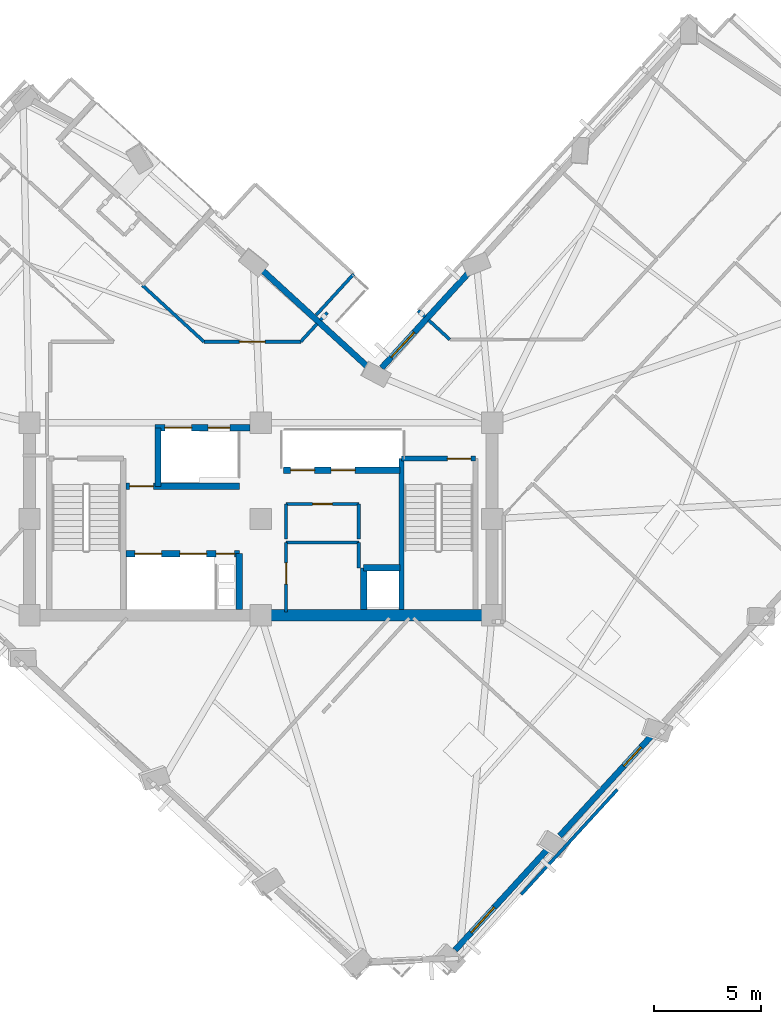
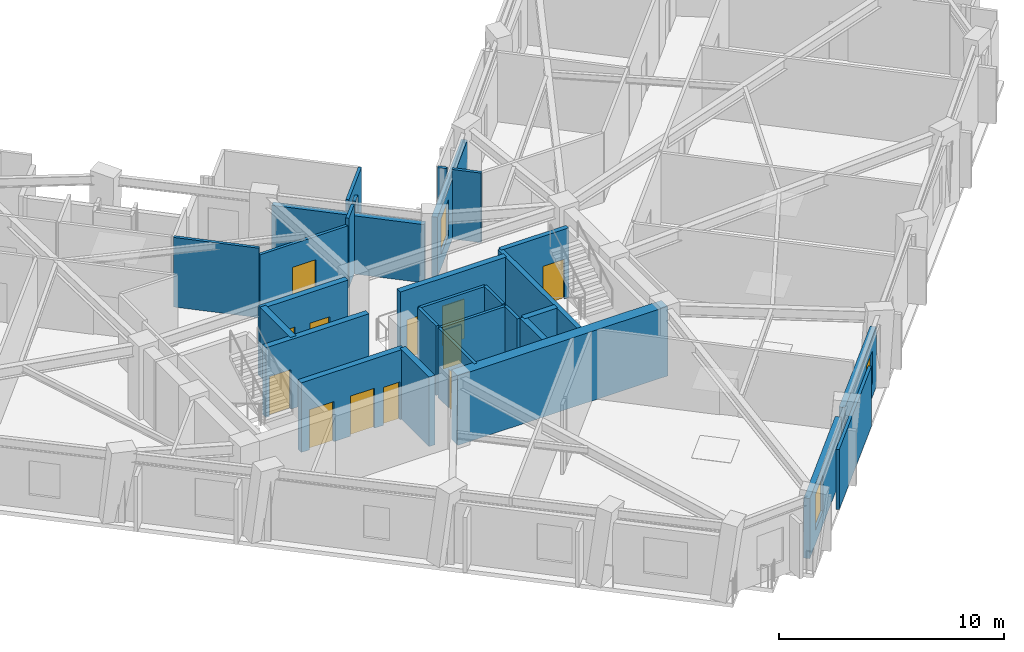
# One storey, part 5 of 12: 29 walls, 12 doors, 3 windows, 15 openings.
"""IFC4 building model written with IfcOpenShell, lengths in metres."""

from ifc_helpers import new_model, si_unit, direction, frame, frame_2d, origin, place, context, subcontext, project, spatial, rectangle, extrude, material, layer, layer_set, type_object, element, fill, save


model = new_model("IFC4")

# Units and contexts
model_context = context("Model", 3, precision=1e-05, world=origin(), true_north=direction((0.0, 1.0)))
body_context = subcontext(model_context, "Body", "Model", "MODEL_VIEW")
ifc_project = project(units=[si_unit("LENGTHUNIT", "METRE"), si_unit("AREAUNIT", "SQUARE_METRE"), si_unit("VOLUMEUNIT", "CUBIC_METRE"), si_unit("PLANEANGLEUNIT", "RADIAN"), si_unit("MASSUNIT", "GRAM", prefix="KILO")], contexts=[model_context])

# Site, building, storey
site_placement = place(None, origin())
site = spatial("IfcSite", under=ifc_project, at=site_placement, CompositionType="ELEMENT")
building_placement = place(site_placement, origin())
building = spatial("IfcBuilding", under=site, at=building_placement, Name="Gaonmaruhae Medical Tower", CompositionType="ELEMENT")
storey_placement = place(building_placement, frame((0.0, 0.0, 227.199951171875)))
storey = spatial("IfcBuildingStorey", under=building, at=storey_placement, Name="L54", CompositionType="ELEMENT", Elevation=227.199951171875)

# Wall
ifc_material_1 = material(Name="Concrete C50/60", Category="concrete")
ifc_layer_1 = layer(ifc_material_1, 0.550048828125)
ifc_layer_set_1 = layer_set([ifc_layer_1], Name="Concrete C50/60")
wall_type_1 = type_object("IfcWallType", Name="CW-550 Mid-High Core Shear Wall", PredefinedType="SHEAR", material=ifc_layer_set_1)
wall_1_placement = place(storey_placement, frame((24.800048828125, 7.800048828125, 0.0), z_axis=(0.0, 0.0, 1.0), x_axis=(1.0, 0.0, 0.0)))
element("IfcWall", 1, at=wall_1_placement, inside=storey, type_object=wall_type_1, Name="L54 Core Shear Wall CSW-S2", PredefinedType="SHEAR", context=body_context, shape_type="SweptSolid", body=[
    extrude(rectangle(XDim=10.800048828125, YDim=0.550048828125, at=frame_2d((5.39990234375, 0.0))), origin(), (0.0, 0.0, 1.0), 3.780029296875),
])

# Wall, opening, window
ifc_material_2 = material(Name="Precast concrete C45/55", Category="concrete")
ifc_layer_2 = layer(ifc_material_2, 0.280029296875)
ifc_layer_set_2 = layer_set([ifc_layer_2], Name="Precast concrete C45/55")
wall_type_2 = type_object("IfcWallType", Name="EW-280 Upper Precast Masonry-Frame Facade Wall", PredefinedType="SOLIDWALL", material=ifc_layer_set_2)
wall_2_placement = place(storey_placement, frame((38.258544921875, -3.05029296875, 0.0), z_axis=(0.0, 0.0, 1.0), x_axis=(-0.675579701031, -0.737286964183, 0.0)))
wall_2 = element("IfcWall", 2, at=wall_2_placement, inside=storey, type_object=wall_type_2, Name="L54 Precast Masonry-Frame Wall S01-S02", PredefinedType="SOLIDWALL", context=body_context, shape_type="SweptSolid", body=[
    extrude(rectangle(XDim=6.484619140625, YDim=0.280029296875, at=frame_2d((3.2421875, 0.0))), origin(), (0.0, 0.0, 1.0), 3.26513671875),
])
opening_1_placement = place(wall_2_placement, frame((3.77392578125, 0.0, 0.75)))
opening_1 = element("IfcOpeningElement", 3, at=opening_1_placement, cuts=wall_2, Name="Opening WN-01", PredefinedType="OPENING", context=body_context, shape_type="SweptSolid", body=[
    extrude(rectangle(XDim=1.60009765625, YDim=1.949951171875, at=frame_2d((0.800048828125, 0.97509765625))), frame((0.0, 0.14990234375, 0.0), z_axis=(0.0, -1.0, 0.0), x_axis=(1.0, 0.0, 0.0)), (0.0, 0.0, 1.0), 0.300048828125),
])
ifc_material_3 = material(Name="Anodised aluminium and Low-E double glazing", Category="aluminium")
window_type_1 = type_object("IfcWindowType", Name="WN-01 Ward Punched Acoustic Window 1600x1950", PartitioningType="SINGLE_PANEL", PredefinedType="WINDOW", material=ifc_material_3)
window_1_placement = place(opening_1_placement, origin())
window_1 = element("IfcWindow", 4, at=window_1_placement, inside=storey, type_object=window_type_1, Name="L54 Modular Facade Window S01", OverallHeight=1.949951171875, OverallWidth=1.60009765625, PartitioningType="SINGLE_PANEL", PredefinedType="WINDOW", context=body_context, shape_type="SweptSolid", body=[
    extrude(rectangle(XDim=1.60009765625, YDim=1.949951171875, at=frame_2d((0.800048828125, 0.97509765625))), frame((0.0, 0.030029296875, 0.0), z_axis=(0.0, -1.0, 0.0), x_axis=(1.0, 0.0, 0.0)), (0.0, 0.0, 1.0), 0.06005859375),
])
fill(opening_1, window_1)

wall_3_placement = place(storey_placement, frame((43.110595703125, 2.244873046875, 0.0), z_axis=(0.0, 0.0, 1.0), x_axis=(-0.675587253008, -0.737280044198, 0.0)))
wall_3 = element("IfcWall", 5, at=wall_3_placement, inside=storey, type_object=wall_type_2, Name="L54 Precast Masonry-Frame Wall S02-S03", PredefinedType="SOLIDWALL", context=body_context, shape_type="SweptSolid", body=[
    extrude(rectangle(XDim=6.438720703125, YDim=0.280029296875, at=frame_2d((3.21923828125, 0.0))), origin(), (0.0, 0.0, 1.0), 3.26513671875),
])
opening_2_placement = place(wall_3_placement, frame((0.810302734375, 0.0, 0.75)))
opening_2 = element("IfcOpeningElement", 6, at=opening_2_placement, cuts=wall_3, Name="Opening WN-05", PredefinedType="OPENING", context=body_context, shape_type="SweptSolid", body=[
    extrude(rectangle(XDim=1.199951171875, YDim=1.75, at=frame_2d((0.60009765625, 0.875))), frame((0.0, 0.14990234375, 0.0), z_axis=(0.0, -1.0, 0.0), x_axis=(1.0, 0.0, 0.0)), (0.0, 0.0, 1.0), 0.300048828125),
])
window_type_2 = type_object("IfcWindowType", Name="WN-05 Support & Staff Punched Window 1200x1750", PartitioningType="SINGLE_PANEL", PredefinedType="WINDOW", material=ifc_material_3)
window_2_placement = place(opening_2_placement, origin())
window_2 = element("IfcWindow", 7, at=window_2_placement, inside=storey, type_object=window_type_2, Name="L54 Modular Facade Window S02", OverallHeight=1.75, OverallWidth=1.199951171875, PartitioningType="SINGLE_PANEL", PredefinedType="WINDOW", context=body_context, shape_type="SweptSolid", body=[
    extrude(rectangle(XDim=1.199951171875, YDim=1.75, at=frame_2d((0.60009765625, 0.875))), frame((0.0, 0.030029296875, 0.0), z_axis=(0.0, -1.0, 0.0), x_axis=(1.0, 0.0, 0.0)), (0.0, 0.0, 1.0), 0.06005859375),
])
fill(opening_2, window_2)

wall_4_placement = place(storey_placement, frame((30.444091796875, 19.357666015625, 0.0), z_axis=(0.0, 0.0, 1.0), x_axis=(0.675589973943, 0.737277550931, 0.0)))
wall_4 = element("IfcWall", 8, at=wall_4_placement, inside=storey, type_object=wall_type_2, Name="L54 Precast Masonry-Frame Wall EN02-KN01", PredefinedType="SOLIDWALL", context=body_context, shape_type="SweptSolid", body=[
    extrude(rectangle(XDim=6.158203125, YDim=0.280029296875, at=frame_2d((3.0791015625, 0.0))), origin(), (0.0, 0.0, 1.0), 3.26513671875),
])
opening_3_placement = place(wall_4_placement, frame((0.658203125, 0.0, 0.75)))
opening_3 = element("IfcOpeningElement", 9, at=opening_3_placement, cuts=wall_4, Name="Opening WN-01", PredefinedType="OPENING", context=body_context, shape_type="SweptSolid", body=[
    extrude(rectangle(XDim=1.60009765625, YDim=1.949951171875, at=frame_2d((0.800048828125, 0.97509765625))), frame((0.0, 0.14990234375, 0.0), z_axis=(0.0, -1.0, 0.0), x_axis=(1.0, 0.0, 0.0)), (0.0, 0.0, 1.0), 0.300048828125),
])
window_3_placement = place(opening_3_placement, origin())
window_3 = element("IfcWindow", 10, at=window_3_placement, inside=storey, type_object=window_type_1, Name="L54 Modular Facade Window EN02", OverallHeight=1.949951171875, OverallWidth=1.60009765625, PartitioningType="SINGLE_PANEL", PredefinedType="WINDOW", context=body_context, shape_type="SweptSolid", body=[
    extrude(rectangle(XDim=1.60009765625, YDim=1.949951171875, at=frame_2d((0.800048828125, 0.97509765625))), frame((0.0, 0.030029296875, 0.0), z_axis=(0.0, -1.0, 0.0), x_axis=(1.0, 0.0, 0.0)), (0.0, 0.0, 1.0), 0.06005859375),
])
fill(opening_3, window_3)

# Wall
wall_5_placement = place(storey_placement, frame((24.787109375, 23.991455078125, 0.0), z_axis=(0.0, 0.0, 1.0), x_axis=(0.737275011719, -0.675592744998, 0.0)))
element("IfcWall", 11, at=wall_5_placement, inside=storey, type_object=wall_type_2, Name="L54 Precast Masonry-Frame Wall KN01-NE01", PredefinedType="SOLIDWALL", context=body_context, shape_type="SweptSolid", body=[
    extrude(rectangle(XDim=6.958251953125, YDim=0.280029296875, at=frame_2d((3.47900390625, 0.0))), origin(), (0.0, 0.0, 1.0), 3.1650390625),
])

# Wall, opening, door
ifc_material_4 = material(Name="Gypsum board partition", Category="gypsum")
ifc_layer_3 = layer(ifc_material_4, 0.14990234375)
ifc_layer_set_3 = layer_set([ifc_layer_3], Name="Gypsum board partition")
wall_type_3 = type_object("IfcWallType", Name="PW-150 Rated Clinical Corridor Partition", PredefinedType="PARTITIONING", material=ifc_layer_set_3)
wall_6_placement = place(storey_placement, frame((25.97998046875, 7.9599609375, 0.0), z_axis=(0.0, 0.0, 1.0), x_axis=(0.0, 1.0, 0.0)))
wall_6 = element("IfcWall", 12, at=wall_6_placement, inside=storey, type_object=wall_type_3, Name="L54 Interior Partition L54-RCL1-1", PredefinedType="PARTITIONING", context=body_context, shape_type="SweptSolid", body=[
    extrude(rectangle(XDim=3.239990234375, YDim=0.14990234375, at=frame_2d((1.6201171875, 0.0))), origin(), (0.0, 0.0, 1.0), 3.780029296875),
])
opening_4_placement = place(wall_6_placement, frame((1.294921875, 0.0, 0.0)))
opening_4 = element("IfcOpeningElement", 13, at=opening_4_placement, cuts=wall_6, Name="Opening CD-01", PredefinedType="OPENING", context=body_context, shape_type="SweptSolid", body=[
    extrude(rectangle(XDim=1.0, YDim=2.1201171875, at=frame_2d((0.5, 1.06005859375))), frame((0.0, 0.0849609375, 0.0), z_axis=(0.0, -1.0, 0.0), x_axis=(1.0, 0.0, 0.0)), (0.0, 0.0, 1.0), 0.169921875),
])
ifc_material_5 = material(Name="Antimicrobial laminate timber fire door", Category="wood")
door_type_1 = type_object("IfcDoorType", Name="CD-01 Consultation & Physician Office Door 1000x2120", OperationType="NOTDEFINED", PredefinedType="DOOR", material=ifc_material_5)
door_1_placement = place(opening_4_placement, origin())
door_1 = element("IfcDoor", 14, at=door_1_placement, inside=storey, type_object=door_type_1, Name="L54 Clinical Telemetry and Medication Room Door", OperationType="SINGLE_SWING_RIGHT", OverallHeight=2.1201171875, OverallWidth=1.0, PredefinedType="DOOR", context=body_context, shape_type="SweptSolid", body=[
    extrude(rectangle(XDim=1.0, YDim=2.1201171875, at=frame_2d((0.5, 1.06005859375))), frame((0.0, 0.02490234375, 0.0), z_axis=(0.0, -1.0, 0.0), x_axis=(1.0, 0.0, 0.0)), (0.0, 0.0, 1.0), 0.050048828125),
])
fill(opening_4, door_1)

# Walls
wall_7_placement = place(storey_placement, frame((25.97998046875, 11.199951171875, 0.0), z_axis=(0.0, 0.0, 1.0), x_axis=(1.0, 0.0, 0.0)))
element("IfcWall", 15, at=wall_7_placement, inside=storey, type_object=wall_type_3, Name="L54 Interior Partition L54-RCL1-2", PredefinedType="PARTITIONING", context=body_context, shape_type="SweptSolid", body=[
    extrude(rectangle(XDim=3.39990234375, YDim=0.14990234375, at=frame_2d((1.699951171875, 0.0))), origin(), (0.0, 0.0, 1.0), 3.780029296875),
])
wall_8_placement = place(storey_placement, frame((29.3798828125, 11.199951171875, 0.0), z_axis=(0.0, 0.0, 1.0), x_axis=(0.0, -1.0, 0.0)))
element("IfcWall", 16, at=wall_8_placement, inside=storey, type_object=wall_type_3, Name="L54 Interior Partition L54-RCL1-3", PredefinedType="PARTITIONING", context=body_context, shape_type="SweptSolid", body=[
    extrude(rectangle(XDim=1.179931640625, YDim=0.14990234375, at=frame_2d((0.58984375, 0.0))), origin(), (0.0, 0.0, 1.0), 3.780029296875),
])
wall_9_placement = place(storey_placement, frame((25.97998046875, 11.360107421875, 0.0), z_axis=(0.0, 0.0, 1.0), x_axis=(0.0, 1.0, 0.0)))
element("IfcWall", 17, at=wall_9_placement, inside=storey, type_object=wall_type_3, Name="L54 Interior Partition L54-CS1-4", PredefinedType="PARTITIONING", context=body_context, shape_type="SweptSolid", body=[
    extrude(rectangle(XDim=1.639892578125, YDim=0.14990234375, at=frame_2d((0.81982421875, 0.0))), origin(), (0.0, 0.0, 1.0), 3.780029296875),
])

# Wall, opening, door
wall_10_placement = place(storey_placement, frame((25.97998046875, 13.0, 0.0), z_axis=(0.0, 0.0, 1.0), x_axis=(1.0, 0.0, 0.0)))
wall_10 = element("IfcWall", 18, at=wall_10_placement, inside=storey, type_object=wall_type_3, Name="L54 Interior Partition L54-CS1-5", PredefinedType="PARTITIONING", context=body_context, shape_type="SweptSolid", body=[
    extrude(rectangle(XDim=3.39990234375, YDim=0.14990234375, at=frame_2d((1.699951171875, 0.0))), origin(), (0.0, 0.0, 1.0), 3.780029296875),
])
opening_5_placement = place(wall_10_placement, frame((1.239990234375, 0.0, 0.0)))
opening_5 = element("IfcOpeningElement", 19, at=opening_5_placement, cuts=wall_10, Name="Opening UD-01", PredefinedType="OPENING", context=body_context, shape_type="SweptSolid", body=[
    extrude(rectangle(XDim=0.919921875, YDim=2.10009765625, at=frame_2d((0.4599609375, 1.050048828125))), frame((0.0, 0.0849609375, 0.0), z_axis=(0.0, -1.0, 0.0), x_axis=(1.0, 0.0, 0.0)), (0.0, 0.0, 1.0), 0.169921875),
])
ifc_material_6 = material(Name="Powder-coated steel utility door", Category="steel")
door_type_2 = type_object("IfcDoorType", Name="UD-01 Toilet, Utility & Housekeeping Door 920x2100", OperationType="NOTDEFINED", PredefinedType="DOOR", material=ifc_material_6)
door_2_placement = place(opening_5_placement, origin())
door_2 = element("IfcDoor", 20, at=door_2_placement, inside=storey, type_object=door_type_2, Name="L54 Accessible Staff Toilet Door", OperationType="SINGLE_SWING_LEFT", OverallHeight=2.10009765625, OverallWidth=0.919921875, PredefinedType="DOOR", context=body_context, shape_type="SweptSolid", body=[
    extrude(rectangle(XDim=0.919921875, YDim=2.10009765625, at=frame_2d((0.4599609375, 1.050048828125))), frame((0.0, 0.02490234375, 0.0), z_axis=(0.0, -1.0, 0.0), x_axis=(1.0, 0.0, 0.0)), (0.0, 0.0, 1.0), 0.050048828125),
])
fill(opening_5, door_2)

# Walls
wall_11_placement = place(storey_placement, frame((29.3798828125, 13.0, 0.0), z_axis=(0.0, 0.0, 1.0), x_axis=(0.0, -1.0, 0.0)))
element("IfcWall", 21, at=wall_11_placement, inside=storey, type_object=wall_type_3, Name="L54 Interior Partition L54-CS1-6", PredefinedType="PARTITIONING", context=body_context, shape_type="SweptSolid", body=[
    extrude(rectangle(XDim=1.639892578125, YDim=0.14990234375, at=frame_2d((0.81982421875, 0.0))), origin(), (0.0, 0.0, 1.0), 3.780029296875),
])
wall_12_placement = place(storey_placement, frame((33.6259765625, 20.679931640625, 0.0), z_axis=(0.0, 0.0, 1.0), x_axis=(-0.737101110808, 0.675782474207, 0.0)))
element("IfcWall", 22, at=wall_12_placement, inside=storey, type_object=wall_type_3, Name="L54 Interior Partition L54-IE02-53", PredefinedType="PARTITIONING", context=body_context, shape_type="SweptSolid", body=[
    extrude(rectangle(XDim=1.337890625, YDim=0.14990234375, at=frame_2d((0.6689453125, 0.0))), origin(), (0.0, 0.0, 1.0), 3.780029296875),
])
wall_13_placement = place(storey_placement, frame((32.469970703125, 21.739013671875, 0.0), z_axis=(0.0, 0.0, 1.0), x_axis=(-0.736524176438, 0.676411219246, 0.0)))
element("IfcWall", 23, at=wall_13_placement, inside=storey, type_object=wall_type_3, Name="L54 Interior Partition L54-IE02-54", PredefinedType="PARTITIONING", context=body_context, shape_type="SweptSolid", body=[
    extrude(rectangle(XDim=0.4345703125, YDim=0.14990234375, at=frame_2d((0.21728515625, 0.0))), origin(), (0.0, 0.0, 1.0), 3.780029296875),
])
wall_14_placement = place(storey_placement, frame((27.9140625, 21.93994140625, 0.0), z_axis=(0.0, 0.0, 1.0), x_axis=(-0.675770164301, -0.737112396477, 0.0)))
element("IfcWall", 24, at=wall_14_placement, inside=storey, type_object=wall_type_3, Name="L54 Interior Partition L54-IN01-66", PredefinedType="PARTITIONING", context=body_context, shape_type="SweptSolid", body=[
    extrude(rectangle(XDim=0.485595703125, YDim=0.14990234375, at=frame_2d((0.24267578125, 0.0))), origin(), (0.0, 0.0, 1.0), 3.780029296875),
])
wall_15_placement = place(storey_placement, frame((27.430908203125, 21.4130859375, 0.0), z_axis=(0.0, 0.0, 1.0), x_axis=(-0.675411380548, -0.737441161738, 0.0)))
element("IfcWall", 25, at=wall_15_placement, inside=storey, type_object=wall_type_3, Name="L54 Interior Partition L54-IN01-67", PredefinedType="PARTITIONING", context=body_context, shape_type="SweptSolid", body=[
    extrude(rectangle(XDim=1.129638671875, YDim=0.14990234375, at=frame_2d((0.56494140625, 0.0))), origin(), (0.0, 0.0, 1.0), 3.780029296875),
])

# Wall, opening, door
wall_16_placement = place(storey_placement, frame((26.66796875, 20.580078125, 0.0), z_axis=(0.0, 0.0, 1.0), x_axis=(-1.0, 0.0, 0.0)))
wall_16 = element("IfcWall", 26, at=wall_16_placement, inside=storey, type_object=wall_type_3, Name="L54 Interior Partition L54-IN01-68", PredefinedType="PARTITIONING", context=body_context, shape_type="SweptSolid", body=[
    extrude(rectangle(XDim=4.52294921875, YDim=0.14990234375, at=frame_2d((2.261474609375, 0.0))), origin(), (0.0, 0.0, 1.0), 3.4150390625),
])
opening_6_placement = place(wall_16_placement, frame((1.66162109375, 0.0, 0.0)))
opening_6 = element("IfcOpeningElement", 27, at=opening_6_placement, cuts=wall_16, Name="Opening CD-02", PredefinedType="OPENING", context=body_context, shape_type="SweptSolid", body=[
    extrude(rectangle(XDim=1.199951171875, YDim=2.14990234375, at=frame_2d((0.60009765625, 1.074951171875))), frame((0.0, 0.0849609375, 0.0), z_axis=(0.0, -1.0, 0.0), x_axis=(1.0, 0.0, 0.0)), (0.0, 0.0, 1.0), 0.169921875),
])
door_type_3 = type_object("IfcDoorType", Name="CD-02 Clinical Treatment & Procedure Door 1200x2150", OperationType="NOTDEFINED", PredefinedType="DOOR", material=ifc_material_5)
door_3_placement = place(opening_6_placement, origin())
door_3 = element("IfcDoor", 28, at=door_3_placement, inside=storey, type_object=door_type_3, Name="L54 Physician Consultation Office Door", OperationType="SINGLE_SWING_RIGHT", OverallHeight=2.14990234375, OverallWidth=1.199951171875, PredefinedType="DOOR", context=body_context, shape_type="SweptSolid", body=[
    extrude(rectangle(XDim=1.199951171875, YDim=2.14990234375, at=frame_2d((0.60009765625, 1.074951171875))), frame((0.0, 0.02490234375, 0.0), z_axis=(0.0, -1.0, 0.0), x_axis=(1.0, 0.0, 0.0)), (0.0, 0.0, 1.0), 0.050048828125),
])
fill(opening_6, door_3)

# Walls
wall_17_placement = place(storey_placement, frame((22.14501953125, 20.580078125, 0.0), z_axis=(0.0, 0.0, 1.0), x_axis=(-0.737268593964, 0.675599748634, 0.0)))
element("IfcWall", 29, at=wall_17_placement, inside=storey, type_object=wall_type_3, Name="L54 Interior Partition L54-IN01-69", PredefinedType="PARTITIONING", context=body_context, shape_type="SweptSolid", body=[
    extrude(rectangle(XDim=3.8955078125, YDim=0.14990234375, at=frame_2d((1.94775390625, 0.0))), origin(), (0.0, 0.0, 1.0), 3.780029296875),
])
wall_18_placement = place(storey_placement, frame((41.449951171875, -0.3369140625, 0.0), z_axis=(0.0, 0.0, 1.0), x_axis=(-0.675548129833, -0.737315891785, 0.0)))
element("IfcWall", 30, at=wall_18_placement, inside=storey, type_object=wall_type_3, Name="L54 Interior Partition L54-RM01-82", PredefinedType="PARTITIONING", context=body_context, shape_type="SweptSolid", body=[
    extrude(rectangle(XDim=6.640380859375, YDim=0.14990234375, at=frame_2d((3.3203125, 0.0))), origin(), (0.0, 0.0, 1.0), 3.26513671875),
])
wall_19_placement = place(storey_placement, frame((29.137939453125, 23.735107421875, 0.0), z_axis=(0.0, 0.0, 1.0), x_axis=(-0.67551976153, -0.737341882563, 0.0)))
element("IfcWall", 31, at=wall_19_placement, inside=storey, type_object=wall_type_3, Name="L54 Interior Partition L54-RM03-89", PredefinedType="PARTITIONING", context=body_context, shape_type="SweptSolid", body=[
    extrude(rectangle(XDim=2.590576171875, YDim=0.14990234375, at=frame_2d((1.29541015625, 0.0))), origin(), (0.0, 0.0, 1.0), 3.780029296875),
])

# Wall, opening, door
ifc_layer_4 = layer(ifc_material_1, 0.239990234375)
ifc_layer_set_4 = layer_set([ifc_layer_4], Name="Concrete C50/60")
wall_type_4 = type_object("IfcWallType", Name="SW-240 Dogleg Stair Tight Shaft Wall", PredefinedType="SOLIDWALL", material=ifc_layer_set_4)
wall_20_placement = place(storey_placement, frame((31.3701171875, 15.1201171875, 0.0), z_axis=(0.0, 0.0, 1.0), x_axis=(1.0, 0.0, 0.0)))
wall_20 = element("IfcWall", 32, at=wall_20_placement, inside=storey, type_object=wall_type_4, Name="L54 ST-02 Stair Shaft Wall SHW-ST-02-N", PredefinedType="SOLIDWALL", context=body_context, shape_type="SweptSolid", body=[
    extrude(rectangle(XDim=3.4599609375, YDim=0.239990234375, at=frame_2d((1.72998046875, 0.0))), origin(), (0.0, 0.0, 1.0), 3.780029296875),
])
opening_7_placement = place(wall_20_placement, frame((2.139892578125, 0.0, 0.0)))
opening_7 = element("IfcOpeningElement", 33, at=opening_7_placement, cuts=wall_20, Name="Opening FD-01", PredefinedType="OPENING", context=body_context, shape_type="SweptSolid", body=[
    extrude(rectangle(XDim=1.10009765625, YDim=2.14990234375, at=frame_2d((0.550048828125, 1.074951171875))), frame((0.0, 0.1298828125, 0.0), z_axis=(0.0, -1.0, 0.0), x_axis=(1.0, 0.0, 0.0)), (0.0, 0.0, 1.0), 0.260009765625),
])
ifc_material_7 = material(Name="Powder-coated steel fire door", Category="steel")
door_type_4 = type_object("IfcDoorType", Name="FD-01 Escape Stair Protected Fire Door 1100x2150", OperationType="NOTDEFINED", PredefinedType="DOOR", material=ifc_material_7)
door_4_placement = place(opening_7_placement, origin())
door_4 = element("IfcDoor", 34, at=door_4_placement, inside=storey, type_object=door_type_4, Name="L54 ST-02 Protected Escape Stair Door", OperationType="SINGLE_SWING_LEFT", OverallHeight=2.14990234375, OverallWidth=1.10009765625, PredefinedType="DOOR", context=body_context, shape_type="SweptSolid", body=[
    extrude(rectangle(XDim=1.10009765625, YDim=2.14990234375, at=frame_2d((0.550048828125, 1.074951171875))), frame((0.0, 0.02490234375, 0.0), z_axis=(0.0, -1.0, 0.0), x_axis=(1.0, 0.0, 0.0)), (0.0, 0.0, 1.0), 0.050048828125),
])
fill(opening_7, door_4)

# Wall
wall_21_placement = place(storey_placement, frame((31.3701171875, 8.074951171875, 0.0), z_axis=(0.0, 0.0, 1.0), x_axis=(0.0, 1.0, 0.0)))
element("IfcWall", 35, at=wall_21_placement, inside=storey, type_object=wall_type_4, Name="L54 ST-02 Stair Shaft Wall SHW-ST-02-W", PredefinedType="SOLIDWALL", context=body_context, shape_type="SweptSolid", body=[
    extrude(rectangle(XDim=7.045166015625, YDim=0.239990234375, at=frame_2d((3.5224609375, 0.0))), origin(), (0.0, 0.0, 1.0), 3.780029296875),
])

# Wall, openings, doors
ifc_layer_5 = layer(ifc_material_1, 0.300048828125)
ifc_layer_set_5 = layer_set([ifc_layer_5], Name="Concrete C50/60")
wall_type_5 = type_object("IfcWallType", Name="SW-300 Stair & Lift Hoistway Shaft Wall", PredefinedType="SOLIDWALL", material=ifc_layer_set_5)
wall_22_placement = place(storey_placement, frame((19.85009765625, 16.550048828125, 0.0), z_axis=(0.0, 0.0, 1.0), x_axis=(1.0, 0.0, 0.0)))
wall_22 = element("IfcWall", 36, at=wall_22_placement, inside=storey, type_object=wall_type_5, Name="L54 Core Shear Wall CSW-NB", PredefinedType="SOLIDWALL", context=body_context, shape_type="SweptSolid", body=[
    extrude(rectangle(XDim=4.449951171875, YDim=0.300048828125, at=frame_2d((2.22509765625, 0.0))), origin(), (0.0, 0.0, 1.0), 3.780029296875),
])
opening_8_placement = place(wall_22_placement, frame((0.47509765625, 0.0, 0.0)))
opening_8 = element("IfcOpeningElement", 37, at=opening_8_placement, cuts=wall_22, Name="Opening LD-F1", PredefinedType="OPENING", context=body_context, shape_type="SweptSolid", body=[
    extrude(rectangle(XDim=1.25, YDim=2.179931640625, at=frame_2d((0.625, 1.08984375))), frame((0.0, 0.16015625, 0.0), z_axis=(0.0, -1.0, 0.0), x_axis=(1.0, 0.0, 0.0)), (0.0, 0.0, 1.0), 0.320068359375),
])
opening_9_placement = place(wall_22_placement, frame((2.489990234375, 0.0, 0.0)))
opening_9 = element("IfcOpeningElement", 38, at=opening_9_placement, cuts=wall_22, Name="Opening LD-S1", PredefinedType="OPENING", context=body_context, shape_type="SweptSolid", body=[
    extrude(rectangle(XDim=1.02001953125, YDim=2.1201171875, at=frame_2d((0.510009765625, 1.06005859375))), frame((0.0, 0.16015625, 0.0), z_axis=(0.0, -1.0, 0.0), x_axis=(1.0, 0.0, 0.0)), (0.0, 0.0, 1.0), 0.320068359375),
])
ifc_material_8 = material(Name="Brushed stainless steel 316L landing door", Category="steel")
door_type_5 = type_object("IfcDoorType", Name="LD-F1 Firefighting & Bed Lift Sliding Landing Door 1250x2180", OperationType="NOTDEFINED", PredefinedType="DOOR", material=ifc_material_8)
door_5_placement = place(opening_8_placement, origin())
door_5 = element("IfcDoor", 39, at=door_5_placement, inside=storey, type_object=door_type_5, Name="L54 Service/Bed Lift Landing Door BDL-01", OperationType="DOUBLE_DOOR_SLIDING", OverallHeight=2.179931640625, OverallWidth=1.25, PredefinedType="DOOR", context=body_context, shape_type="SweptSolid", body=[
    extrude(rectangle(XDim=1.25, YDim=2.179931640625, at=frame_2d((0.625, 1.08984375))), frame((0.0, 0.02490234375, 0.0), z_axis=(0.0, -1.0, 0.0), x_axis=(1.0, 0.0, 0.0)), (0.0, 0.0, 1.0), 0.050048828125),
])
fill(opening_8, door_5)
ifc_material_9 = material(Name="Brushed stainless steel 304 landing door", Category="steel")
door_type_6 = type_object("IfcDoorType", Name="LD-S1 Service Lift Sliding Landing Door 1020x2120", OperationType="NOTDEFINED", PredefinedType="DOOR", material=ifc_material_9)
door_6_placement = place(opening_9_placement, origin())
door_6 = element("IfcDoor", 40, at=door_6_placement, inside=storey, type_object=door_type_6, Name="L54 Service/Bed Lift Landing Door SVL-01", OperationType="SLIDING_TO_LEFT", OverallHeight=2.1201171875, OverallWidth=1.02001953125, PredefinedType="DOOR", context=body_context, shape_type="SweptSolid", body=[
    extrude(rectangle(XDim=1.02001953125, YDim=2.1201171875, at=frame_2d((0.510009765625, 1.06005859375))), frame((0.0, 0.02490234375, 0.0), z_axis=(0.0, -1.0, 0.0), x_axis=(1.0, 0.0, 0.0)), (0.0, 0.0, 1.0), 0.050048828125),
])
fill(opening_9, door_6)

wall_23_placement = place(storey_placement, frame((18.5, 10.679931640625, 0.0), z_axis=(0.0, 0.0, 1.0), x_axis=(1.0, 0.0, 0.0)))
wall_23 = element("IfcWall", 41, at=wall_23_placement, inside=storey, type_object=wall_type_5, Name="L54 Shaft Enclosure Wall SHW-FFN", PredefinedType="SOLIDWALL", context=body_context, shape_type="SweptSolid", body=[
    extrude(rectangle(XDim=5.300048828125, YDim=0.300048828125, at=frame_2d((2.64990234375, 0.0))), origin(), (0.0, 0.0, 1.0), 3.780029296875),
])
opening_10_placement = place(wall_23_placement, frame((4.219970703125, 0.0, 0.0)))
opening_10 = element("IfcOpeningElement", 42, at=opening_10_placement, cuts=wall_23, Name="Opening AD-01", PredefinedType="OPENING", context=body_context, shape_type="SweptSolid", body=[
    extrude(rectangle(XDim=0.860107421875, YDim=2.06005859375, at=frame_2d((0.43017578125, 1.030029296875))), frame((0.0, 0.16015625, 0.0), z_axis=(0.0, -1.0, 0.0), x_axis=(1.0, 0.0, 0.0)), (0.0, 0.0, 1.0), 0.320068359375),
])
opening_11_placement = place(wall_23_placement, frame((0.425048828125, 0.0, 0.0)))
opening_11 = element("IfcOpeningElement", 43, at=opening_11_placement, cuts=wall_23, Name="Opening LD-F1", PredefinedType="OPENING", context=body_context, shape_type="SweptSolid", body=[
    extrude(rectangle(XDim=1.25, YDim=2.179931640625, at=frame_2d((0.625, 1.08984375))), frame((0.0, 0.16015625, 0.0), z_axis=(0.0, -1.0, 0.0), x_axis=(1.0, 0.0, 0.0)), (0.0, 0.0, 1.0), 0.320068359375),
])
opening_12_placement = place(wall_23_placement, frame((2.52490234375, 0.0, 0.0)))
opening_12 = element("IfcOpeningElement", 44, at=opening_12_placement, cuts=wall_23, Name="Opening LD-F1", PredefinedType="OPENING", context=body_context, shape_type="SweptSolid", body=[
    extrude(rectangle(XDim=1.25, YDim=2.179931640625, at=frame_2d((0.625, 1.08984375))), frame((0.0, 0.16015625, 0.0), z_axis=(0.0, -1.0, 0.0), x_axis=(1.0, 0.0, 0.0)), (0.0, 0.0, 1.0), 0.320068359375),
])
ifc_material_10 = material(Name="Powder-coated steel access door", Category="steel")
door_type_7 = type_object("IfcDoorType", Name="AD-01 Riser & Closet Access Fire Door 860x2060", OperationType="NOTDEFINED", PredefinedType="DOOR", material=ifc_material_10)
door_7_placement = place(opening_10_placement, origin())
door_7 = element("IfcDoor", 45, at=door_7_placement, inside=storey, type_object=door_type_7, Name="L54 Medical Gas and MEP Riser Access Door", OperationType="SINGLE_SWING_RIGHT", OverallHeight=2.06005859375, OverallWidth=0.860107421875, PredefinedType="DOOR", context=body_context, shape_type="SweptSolid", body=[
    extrude(rectangle(XDim=0.860107421875, YDim=2.06005859375, at=frame_2d((0.43017578125, 1.030029296875))), frame((0.0, 0.02490234375, 0.0), z_axis=(0.0, -1.0, 0.0), x_axis=(1.0, 0.0, 0.0)), (0.0, 0.0, 1.0), 0.050048828125),
])
fill(opening_10, door_7)
door_8_placement = place(opening_11_placement, origin())
door_8 = element("IfcDoor", 46, at=door_8_placement, inside=storey, type_object=door_type_5, Name="L54 Firefighting Lift Landing Door FFL-01", OperationType="DOUBLE_DOOR_SLIDING", OverallHeight=2.179931640625, OverallWidth=1.25, PredefinedType="DOOR", context=body_context, shape_type="SweptSolid", body=[
    extrude(rectangle(XDim=1.25, YDim=2.179931640625, at=frame_2d((0.625, 1.08984375))), frame((0.0, 0.02490234375, 0.0), z_axis=(0.0, -1.0, 0.0), x_axis=(1.0, 0.0, 0.0)), (0.0, 0.0, 1.0), 0.050048828125),
])
fill(opening_11, door_8)
door_9_placement = place(opening_12_placement, origin())
door_9 = element("IfcDoor", 47, at=door_9_placement, inside=storey, type_object=door_type_5, Name="L54 Firefighting Lift Landing Door FFL-02", OperationType="DOUBLE_DOOR_SLIDING", OverallHeight=2.179931640625, OverallWidth=1.25, PredefinedType="DOOR", context=body_context, shape_type="SweptSolid", body=[
    extrude(rectangle(XDim=1.25, YDim=2.179931640625, at=frame_2d((0.625, 1.08984375))), frame((0.0, 0.02490234375, 0.0), z_axis=(0.0, -1.0, 0.0), x_axis=(1.0, 0.0, 0.0)), (0.0, 0.0, 1.0), 0.050048828125),
])
fill(opening_12, door_9)

# Wall, opening, door
wall_24_placement = place(storey_placement, frame((18.5, 13.820068359375, 0.0), z_axis=(0.0, 0.0, 1.0), x_axis=(1.0, 0.0, 0.0)))
wall_24 = element("IfcWall", 48, at=wall_24_placement, inside=storey, type_object=wall_type_5, Name="L54 Shaft Enclosure Wall SHW-FFL", PredefinedType="SOLIDWALL", context=body_context, shape_type="SweptSolid", body=[
    extrude(rectangle(XDim=5.300048828125, YDim=0.300048828125, at=frame_2d((2.64990234375, 0.0))), origin(), (0.0, 0.0, 1.0), 3.780029296875),
])
opening_13_placement = place(wall_24_placement, frame((0.179931640625, 0.0, 0.0)))
opening_13 = element("IfcOpeningElement", 49, at=opening_13_placement, cuts=wall_24, Name="Opening FD-01", PredefinedType="OPENING", context=body_context, shape_type="SweptSolid", body=[
    extrude(rectangle(XDim=1.10009765625, YDim=2.14990234375, at=frame_2d((0.550048828125, 1.074951171875))), frame((0.0, 0.16015625, 0.0), z_axis=(0.0, -1.0, 0.0), x_axis=(1.0, 0.0, 0.0)), (0.0, 0.0, 1.0), 0.320068359375),
])
door_10_placement = place(opening_13_placement, origin())
door_10 = element("IfcDoor", 50, at=door_10_placement, inside=storey, type_object=door_type_4, Name="L54 Firefighting Lobby Smoke Door", OperationType="SINGLE_SWING_LEFT", OverallHeight=2.14990234375, OverallWidth=1.10009765625, PredefinedType="DOOR", context=body_context, shape_type="SweptSolid", body=[
    extrude(rectangle(XDim=1.10009765625, YDim=2.14990234375, at=frame_2d((0.550048828125, 1.074951171875))), frame((0.0, 0.02490234375, 0.0), z_axis=(0.0, -1.0, 0.0), x_axis=(1.0, 0.0, 0.0)), (0.0, 0.0, 1.0), 0.050048828125),
])
fill(opening_13, door_10)

# Walls
wall_25_placement = place(storey_placement, frame((23.800048828125, 8.074951171875, 0.0), z_axis=(0.0, 0.0, 1.0), x_axis=(0.0, 1.0, 0.0)))
element("IfcWall", 51, at=wall_25_placement, inside=storey, type_object=wall_type_5, Name="L54 Shaft Enclosure Wall SHW-FFE", PredefinedType="SOLIDWALL", context=body_context, shape_type="SweptSolid", body=[
    extrude(rectangle(XDim=2.60498046875, YDim=0.300048828125, at=frame_2d((1.302490234375, 0.0))), origin(), (0.0, 0.0, 1.0), 3.780029296875),
])
wall_26_placement = place(storey_placement, frame((20.0, 13.820068359375, 0.0), z_axis=(0.0, 0.0, 1.0), x_axis=(0.0, 1.0, 0.0)))
element("IfcWall", 52, at=wall_26_placement, inside=storey, type_object=wall_type_5, Name="L54 Shaft Enclosure Wall SHW-BDW", PredefinedType="SOLIDWALL", context=body_context, shape_type="SweptSolid", body=[
    extrude(rectangle(XDim=2.72998046875, YDim=0.300048828125, at=frame_2d((1.364990234375, 0.0))), origin(), (0.0, 0.0, 1.0), 3.780029296875),
])
wall_27_placement = place(storey_placement, frame((29.60009765625, 10.02001953125, 0.0), z_axis=(0.0, 0.0, 1.0), x_axis=(1.0, 0.0, 0.0)))
element("IfcWall", 53, at=wall_27_placement, inside=storey, type_object=wall_type_5, Name="L54 Shaft Enclosure Wall SHW-PLS", PredefinedType="SOLIDWALL", context=body_context, shape_type="SweptSolid", body=[
    extrude(rectangle(XDim=1.699951171875, YDim=0.300048828125, at=frame_2d((0.85009765625, 0.0))), origin(), (0.0, 0.0, 1.0), 3.780029296875),
])
wall_28_placement = place(storey_placement, frame((29.60009765625, 8.074951171875, 0.0), z_axis=(0.0, 0.0, 1.0), x_axis=(0.0, 1.0, 0.0)))
element("IfcWall", 54, at=wall_28_placement, inside=storey, type_object=wall_type_5, Name="L54 Shaft Enclosure Wall SHW-PLD1", PredefinedType="SOLIDWALL", context=body_context, shape_type="SweptSolid", body=[
    extrude(rectangle(XDim=1.945068359375, YDim=0.300048828125, at=frame_2d((0.97265625, 0.0))), origin(), (0.0, 0.0, 1.0), 3.780029296875),
])

# Wall, openings, doors
wall_29_placement = place(storey_placement, frame((25.85009765625, 14.580078125, 0.0), z_axis=(0.0, 0.0, 1.0), x_axis=(1.0, 0.0, 0.0)))
wall_29 = element("IfcWall", 55, at=wall_29_placement, inside=storey, type_object=wall_type_5, Name="L54 Shaft Enclosure Wall SHW-PLN", PredefinedType="SOLIDWALL", context=body_context, shape_type="SweptSolid", body=[
    extrude(rectangle(XDim=5.449951171875, YDim=0.300048828125, at=frame_2d((2.72509765625, 0.0))), origin(), (0.0, 0.0, 1.0), 3.780029296875),
])
opening_14_placement = place(wall_29_placement, frame((0.340087890625, 0.0, 0.0)))
opening_14 = element("IfcOpeningElement", 56, at=opening_14_placement, cuts=wall_29, Name="Opening LD-P1", PredefinedType="OPENING", context=body_context, shape_type="SweptSolid", body=[
    extrude(rectangle(XDim=1.1201171875, YDim=2.14990234375, at=frame_2d((0.56005859375, 1.074951171875))), frame((0.0, 0.16015625, 0.0), z_axis=(0.0, -1.0, 0.0), x_axis=(1.0, 0.0, 0.0)), (0.0, 0.0, 1.0), 0.320068359375),
])
opening_15_placement = place(wall_29_placement, frame((2.239990234375, 0.0, 0.0)))
opening_15 = element("IfcOpeningElement", 57, at=opening_15_placement, cuts=wall_29, Name="Opening LD-P1", PredefinedType="OPENING", context=body_context, shape_type="SweptSolid", body=[
    extrude(rectangle(XDim=1.1201171875, YDim=2.14990234375, at=frame_2d((0.56005859375, 1.074951171875))), frame((0.0, 0.16015625, 0.0), z_axis=(0.0, -1.0, 0.0), x_axis=(1.0, 0.0, 0.0)), (0.0, 0.0, 1.0), 0.320068359375),
])
door_type_8 = type_object("IfcDoorType", Name="LD-P1 Passenger Lift Sliding Landing Door 1120x2150", OperationType="NOTDEFINED", PredefinedType="DOOR", material=ifc_material_9)
door_11_placement = place(opening_14_placement, origin())
door_11 = element("IfcDoor", 58, at=door_11_placement, inside=storey, type_object=door_type_8, Name="L54 Passenger Lift Landing Door PL-M1", OperationType="DOUBLE_DOOR_SLIDING", OverallHeight=2.14990234375, OverallWidth=1.1201171875, PredefinedType="DOOR", context=body_context, shape_type="SweptSolid", body=[
    extrude(rectangle(XDim=1.1201171875, YDim=2.14990234375, at=frame_2d((0.56005859375, 1.074951171875))), frame((0.0, 0.02490234375, 0.0), z_axis=(0.0, -1.0, 0.0), x_axis=(1.0, 0.0, 0.0)), (0.0, 0.0, 1.0), 0.050048828125),
])
fill(opening_14, door_11)
door_12_placement = place(opening_15_placement, origin())
door_12 = element("IfcDoor", 59, at=door_12_placement, inside=storey, type_object=door_type_8, Name="L54 Passenger Lift Landing Door PL-M2", OperationType="DOUBLE_DOOR_SLIDING", OverallHeight=2.14990234375, OverallWidth=1.1201171875, PredefinedType="DOOR", context=body_context, shape_type="SweptSolid", body=[
    extrude(rectangle(XDim=1.1201171875, YDim=2.14990234375, at=frame_2d((0.56005859375, 1.074951171875))), frame((0.0, 0.02490234375, 0.0), z_axis=(0.0, -1.0, 0.0), x_axis=(1.0, 0.0, 0.0)), (0.0, 0.0, 1.0), 0.050048828125),
])
fill(opening_15, door_12)

save(model, "model.ifc")
